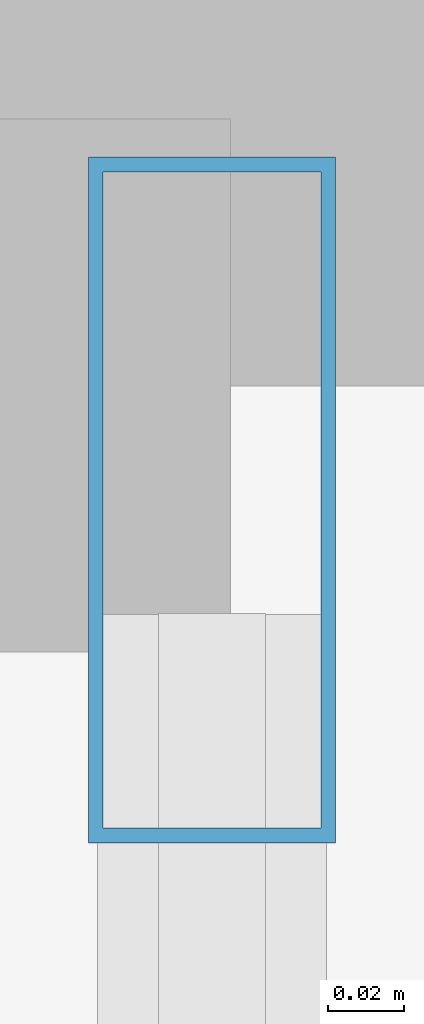
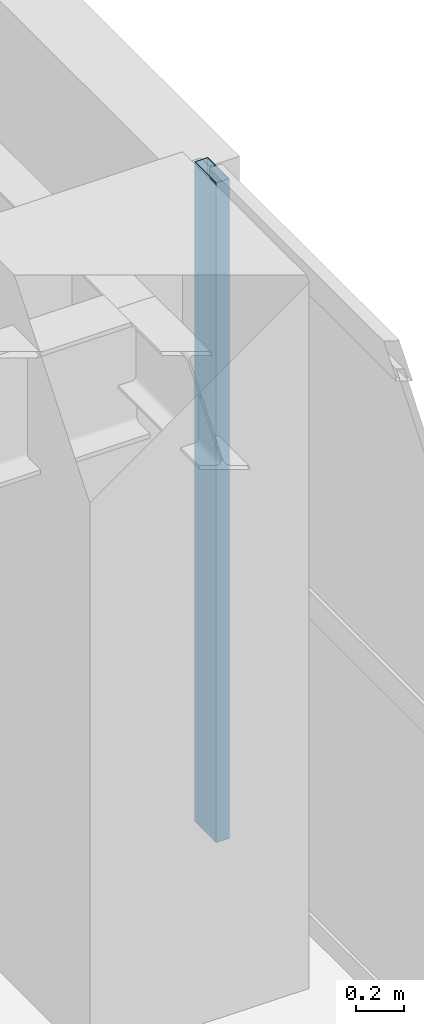
# One storey, part 6 of 14: 1 member, 1 element without a shape of its own.
"""IFC4 building model written with IfcOpenShell, lengths in metres."""

from ifc_helpers import new_model, si_unit, direction, frame, origin, origin_2d, place, context, subcontext, project, spatial, hollow_rectangle, extrude, source, transform, mapped, material, layer, layer_set, material_profile, profile_set, type_object, element, aggregate, save


model = new_model("IFC4")

# Units and contexts
model_context = context("Model", 3, precision=1e-05, world=origin(), true_north=direction((0.0, 1.0)))
body_context = subcontext(model_context, "Body", "Model", "MODEL_VIEW")
ifc_project = project(units=[si_unit("LENGTHUNIT", "METRE"), si_unit("AREAUNIT", "SQUARE_METRE"), si_unit("VOLUMEUNIT", "CUBIC_METRE"), si_unit("PLANEANGLEUNIT", "RADIAN"), si_unit("MASSUNIT", "GRAM", prefix="KILO")], contexts=[model_context])

# Site, building, storey
site_placement = place(None, origin())
site = spatial("IfcSite", under=ifc_project, at=site_placement, CompositionType="ELEMENT")
building_placement = place(site_placement, origin())
building = spatial("IfcBuilding", under=site, at=building_placement, Name="Khoralis Quay Care Tower", CompositionType="ELEMENT")
storey_placement = place(building_placement, frame((0.0, 0.0, 108.89990234375)))
storey = spatial("IfcBuildingStorey", under=building, at=storey_placement, Name="L28", CompositionType="ELEMENT", Elevation=108.89990234375)

# Curtain wall, member
ifc_material = material(Name="Pale anodised aluminium", Category="aluminium")
ifc_layer = layer(ifc_material, 0.169921875)
ifc_layer_set = layer_set([ifc_layer], Name="Pale anodised aluminium")
curtain_wall_type = type_object("IfcCurtainWallType", Name="CW-SYS-Z2", PredefinedType="NOTDEFINED", material=ifc_layer_set)
curtain_wall_placement = place(storey_placement, origin())
curtain_wall = element("IfcCurtainWall", 1, at=curtain_wall_placement, inside=storey, type_object=curtain_wall_type, Name="L28 Unitised Curtain Wall CW-L28-P1-E5", PredefinedType="NOTDEFINED")
ifc_material_profile = material_profile(ifc_material, hollow_rectangle(XDim=0.06494140625, YDim=0.179931640625, WallThickness=0.00390625, at=origin_2d()), Name="Pale anodised aluminium")
ifc_profile_set = profile_set([ifc_material_profile], Name="Pale anodised aluminium")
member_type = type_object("IfcMemberType", Name="CW-MUL-180", PredefinedType="MULLION", material=ifc_profile_set)
shared_shape = source(origin(), body_context, "Body", "SweptSolid", [
    extrude(hollow_rectangle(XDim=0.06494140625, YDim=0.179931640625, WallThickness=0.00390625, at=origin_2d()), origin(), (0.0, 0.0, 1.0), 3.340087890625),
])
member_placement = place(storey_placement, frame((44.85009765625, 24.669921875, 0.0), z_axis=(0.0, 0.0, 1.0), x_axis=(-1.0, 0.0, 0.0)))
member = element("IfcMember", 2, at=member_placement, type_object=member_type, Name="CW2 mullion 4", PredefinedType="MULLION", context=body_context, shape_type="MappedRepresentation", body=[
    mapped(shared_shape, transform((0.0, 0.0, 0.0), scale=1.0)),
])
aggregate(curtain_wall, [member])

save(model, "model.ifc")
